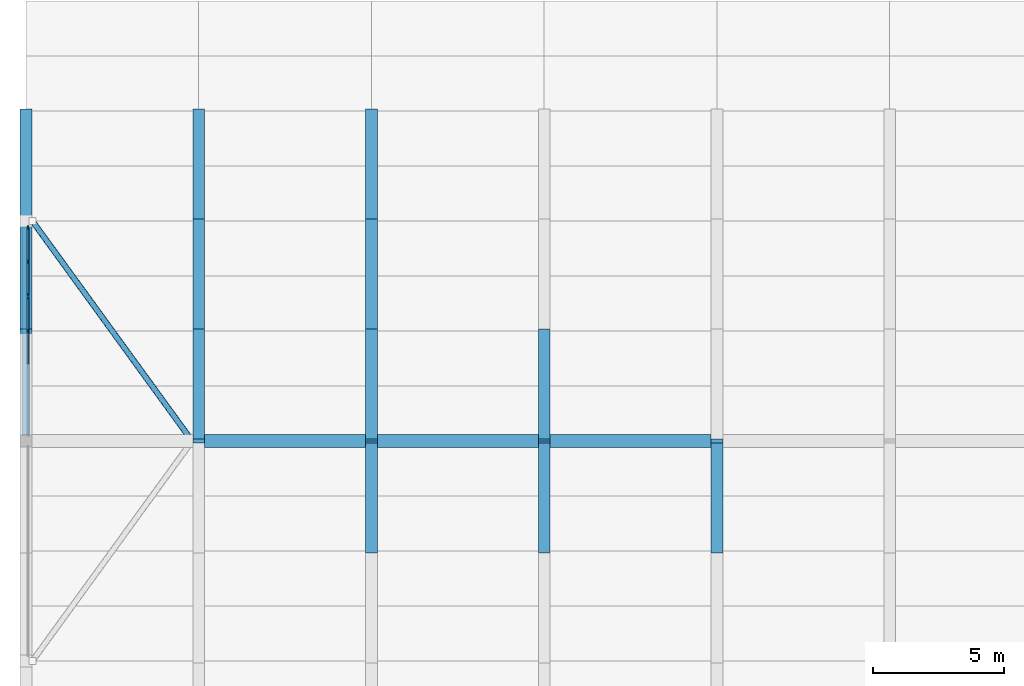
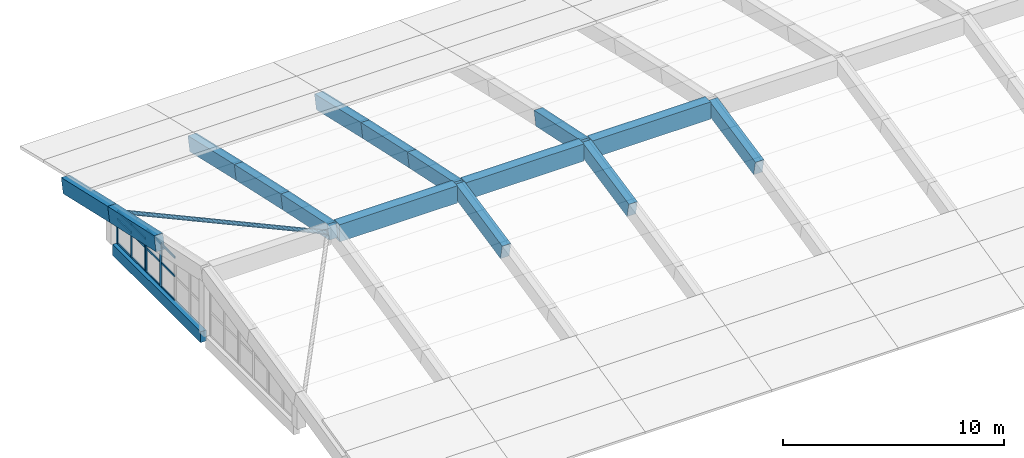
# One storey, part 4 of 47: 18 members, 16 beams, 2 elements without a shape of their own.
"""IFC4 building model written with IfcOpenShell, lengths in metres."""

from ifc_helpers import new_model, si_unit, direction, frame, origin, origin_2d, place, context, subcontext, project, spatial, rectangle, hollow_circle, extrude, material, material_profile, profile_set, type_object, element, aggregate, save


model = new_model("IFC4")

# Units and contexts
model_context = context("Model", 3, precision=1e-05, world=origin(), true_north=direction((0.0, 1.0)))
body_context = subcontext(model_context, "Body", "Model", "MODEL_VIEW")
ifc_project = project(units=[si_unit("LENGTHUNIT", "METRE"), si_unit("AREAUNIT", "SQUARE_METRE"), si_unit("VOLUMEUNIT", "CUBIC_METRE"), si_unit("PLANEANGLEUNIT", "RADIAN"), si_unit("MASSUNIT", "GRAM", prefix="KILO")], contexts=[model_context])

# Site, building, storey
site_placement = place(None, origin())
site = spatial("IfcSite", under=ifc_project, at=site_placement, CompositionType="ELEMENT")
building_placement = place(site_placement, origin())
building = spatial("IfcBuilding", under=site, at=building_placement, Name="Qaldarim Faculty of Natural and Applied Sciences", CompositionType="ELEMENT")
storey_placement = place(building_placement, frame((0.0, 0.0, 22.800048828125)))
storey = spatial("IfcBuildingStorey", under=building, at=storey_placement, Name="L05", CompositionType="ELEMENT", Elevation=22.800048828125)

# Curtain wall, members
ifc_material_1 = material(Name="Anodised aluminium AW-6063", Category="aluminium")
curtain_wall_type = type_object("IfcCurtainWallType", Name="CurtainWallSystem-M1500", PredefinedType="USERDEFINED", material=ifc_material_1)
curtain_wall_1_placement = place(storey_placement, origin())
curtain_wall_1 = element("IfcCurtainWall", 1, at=curtain_wall_1_placement, inside=storey, type_object=curtain_wall_type, Name="Curtain wall CW-GABLE-L05-W-Y07-2", ObjectType="STICK CURTAIN WALL", PredefinedType="USERDEFINED")
ifc_material_profile_1 = material_profile(ifc_material_1, rectangle(XDim=0.06005859375, YDim=0.14990234375, at=origin_2d()), Name="ALU-M60x150")
ifc_profile_set_1 = profile_set([ifc_material_profile_1], Name="Anodised aluminium AW-6063")
member_type_1 = type_object("IfcMemberType", Name="Mullion-ALU60x150", PredefinedType="MULLION", material=ifc_profile_set_1)
member_1_placement = place(storey_placement, frame((0.080078125, 55.889892578125, 0.0), z_axis=(0.0, 0.0, 1.0), x_axis=(1.0, 0.0, 0.0)))
member_1 = element("IfcMember", 2, at=member_1_placement, type_object=member_type_1, Name="Mullion 1 of CW-GABLE-L05-W-Y07-2", PredefinedType="MULLION", context=body_context, shape_type="SweptSolid", body=[
    extrude(rectangle(XDim=0.06005859375, YDim=0.14990234375, at=origin_2d()), origin(), (0.0, 0.0, 1.0), 2.39990234375),
])
member_2_placement = place(storey_placement, frame((0.080078125, 54.6025390625, 0.0), z_axis=(0.0, 0.0, 1.0), x_axis=(1.0, 0.0, 0.0)))
member_2 = element("IfcMember", 3, at=member_2_placement, type_object=member_type_1, Name="Mullion 2 of CW-GABLE-L05-W-Y07-2", PredefinedType="MULLION", context=body_context, shape_type="SweptSolid", body=[
    extrude(rectangle(XDim=0.06005859375, YDim=0.14990234375, at=origin_2d()), origin(), (0.0, 0.0, 1.0), 2.39990234375),
])

curtain_wall_2_placement = place(storey_placement, origin())
curtain_wall_2 = element("IfcCurtainWall", 4, at=curtain_wall_2_placement, inside=storey, type_object=curtain_wall_type, Name="Curtain wall CW-GABLE-L05-W-Y07-3", ObjectType="STICK CURTAIN WALL", PredefinedType="USERDEFINED")
member_3_placement = place(storey_placement, frame((0.080078125, 58.5400390625, 0.0), z_axis=(0.0, 0.0, 1.0), x_axis=(1.0, 0.0, 0.0)))
member_3 = element("IfcMember", 5, at=member_3_placement, type_object=member_type_1, Name="Mullion 1 of CW-GABLE-L05-W-Y07-3", PredefinedType="MULLION", context=body_context, shape_type="SweptSolid", body=[
    extrude(rectangle(XDim=0.06005859375, YDim=0.14990234375, at=origin_2d()), origin(), (0.0, 0.0, 1.0), 1.829833984375),
])
member_4_placement = place(storey_placement, frame((0.080078125, 57.25244140625, 0.0), z_axis=(0.0, 0.0, 1.0), x_axis=(1.0, 0.0, 0.0)))
member_4 = element("IfcMember", 6, at=member_4_placement, type_object=member_type_1, Name="Mullion 2 of CW-GABLE-L05-W-Y07-3", PredefinedType="MULLION", context=body_context, shape_type="SweptSolid", body=[
    extrude(rectangle(XDim=0.06005859375, YDim=0.14990234375, at=origin_2d()), origin(), (0.0, 0.0, 1.0), 1.829833984375),
])
member_5_placement = place(storey_placement, frame((0.080078125, 55.965087890625, 0.0), z_axis=(0.0, 0.0, 1.0), x_axis=(1.0, 0.0, 0.0)))
member_5 = element("IfcMember", 7, at=member_5_placement, type_object=member_type_1, Name="Mullion 3 of CW-GABLE-L05-W-Y07-3", PredefinedType="MULLION", context=body_context, shape_type="SweptSolid", body=[
    extrude(rectangle(XDim=0.06005859375, YDim=0.14990234375, at=origin_2d()), origin(), (0.0, 0.0, 1.0), 1.829833984375),
])

# Beams
ifc_material_2 = material(Name="Concrete C50/60", Category="concrete")
ifc_material_profile_2 = material_profile(ifc_material_2, rectangle(XDim=0.449951171875, YDim=0.800048828125, at=origin_2d()), Name="RC-RIB450x800")
ifc_profile_set_2 = profile_set([ifc_material_profile_2], Name="Concrete C50/60")
beam_type_1 = type_object("IfcBeamType", Name="ShellArchRib-RC450x800", PredefinedType="BEAM", material=ifc_profile_set_2)
beam_1_placement = place(storey_placement, frame((0.0, 63.0, 0.579833984375), z_axis=(0.0, -0.974847602774, 0.222872500245), x_axis=(1.0, 0.0, 0.0)))
element("IfcBeam", 8, at=beam_1_placement, inside=storey, type_object=beam_type_1, Name="Shell arch rib 1 N segment 6", PredefinedType="BEAM", context=body_context, shape_type="SweptSolid", body=[
    extrude(rectangle(XDim=0.449951171875, YDim=0.800048828125, at=origin_2d()), origin(), (0.0, 0.0, 1.0), 4.308349609375),
])
beam_2_placement = place(storey_placement, frame((0.0, 58.800048828125, 1.5400390625), z_axis=(0.0, -0.976842563823, 0.213959354792), x_axis=(1.0, 0.0, 0.0)))
element("IfcBeam", 9, at=beam_2_placement, inside=storey, type_object=beam_type_1, Name="Shell arch rib 1 N segment 7", PredefinedType="BEAM", context=body_context, shape_type="SweptSolid", body=[
    extrude(rectangle(XDim=0.449951171875, YDim=0.800048828125, at=origin_2d()), origin(), (0.0, 0.0, 1.0), 4.299560546875),
])
beam_3_placement = place(storey_placement, frame((6.60009765625, 63.0, 0.579833984375), z_axis=(0.0, -0.974847602774, 0.222872500245), x_axis=(1.0, 0.0, 0.0)))
element("IfcBeam", 10, at=beam_3_placement, inside=storey, type_object=beam_type_1, Name="Shell arch rib 2 N segment 6", PredefinedType="BEAM", context=body_context, shape_type="SweptSolid", body=[
    extrude(rectangle(XDim=0.449951171875, YDim=0.800048828125, at=origin_2d()), origin(), (0.0, 0.0, 1.0), 4.308349609375),
])
beam_4_placement = place(storey_placement, frame((6.60009765625, 58.800048828125, 1.5400390625), z_axis=(0.0, -0.976842563823, 0.213959354792), x_axis=(1.0, 0.0, 0.0)))
element("IfcBeam", 11, at=beam_4_placement, inside=storey, type_object=beam_type_1, Name="Shell arch rib 2 N segment 7", PredefinedType="BEAM", context=body_context, shape_type="SweptSolid", body=[
    extrude(rectangle(XDim=0.449951171875, YDim=0.800048828125, at=origin_2d()), origin(), (0.0, 0.0, 1.0), 4.299560546875),
])
beam_5_placement = place(storey_placement, frame((6.60009765625, 54.60009765625, 2.4599609375), z_axis=(0.0, -0.978754529913, 0.205035533934), x_axis=(1.0, 0.0, 0.0)))
element("IfcBeam", 12, at=beam_5_placement, inside=storey, type_object=beam_type_1, Name="Shell arch rib 2 N segment 8", PredefinedType="BEAM", context=body_context, shape_type="SweptSolid", body=[
    extrude(rectangle(XDim=0.449951171875, YDim=0.800048828125, at=origin_2d()), origin(), (0.0, 0.0, 1.0), 4.291259765625),
])
beam_6_placement = place(storey_placement, frame((13.199951171875, 46.199951171875, 2.4599609375), z_axis=(0.0, 0.978752138035, 0.205046951432), x_axis=(-1.0, 0.0, 0.0)))
element("IfcBeam", 13, at=beam_6_placement, inside=storey, type_object=beam_type_1, Name="Shell arch rib 3 S segment 8", PredefinedType="BEAM", context=body_context, shape_type="SweptSolid", body=[
    extrude(rectangle(XDim=0.449951171875, YDim=0.800048828125, at=origin_2d()), origin(), (0.0, 0.0, 1.0), 4.291015625),
])
beam_7_placement = place(storey_placement, frame((13.199951171875, 63.0, 0.579833984375), z_axis=(0.0, -0.974847602774, 0.222872500245), x_axis=(1.0, 0.0, 0.0)))
element("IfcBeam", 14, at=beam_7_placement, inside=storey, type_object=beam_type_1, Name="Shell arch rib 3 N segment 6", PredefinedType="BEAM", context=body_context, shape_type="SweptSolid", body=[
    extrude(rectangle(XDim=0.449951171875, YDim=0.800048828125, at=origin_2d()), origin(), (0.0, 0.0, 1.0), 4.308349609375),
])
beam_8_placement = place(storey_placement, frame((13.199951171875, 58.800048828125, 1.5400390625), z_axis=(0.0, -0.976842563823, 0.213959354792), x_axis=(1.0, 0.0, 0.0)))
element("IfcBeam", 15, at=beam_8_placement, inside=storey, type_object=beam_type_1, Name="Shell arch rib 3 N segment 7", PredefinedType="BEAM", context=body_context, shape_type="SweptSolid", body=[
    extrude(rectangle(XDim=0.449951171875, YDim=0.800048828125, at=origin_2d()), origin(), (0.0, 0.0, 1.0), 4.299560546875),
])
beam_9_placement = place(storey_placement, frame((13.199951171875, 54.60009765625, 2.4599609375), z_axis=(0.0, -0.978754529913, 0.205035533934), x_axis=(1.0, 0.0, 0.0)))
element("IfcBeam", 16, at=beam_9_placement, inside=storey, type_object=beam_type_1, Name="Shell arch rib 3 N segment 8", PredefinedType="BEAM", context=body_context, shape_type="SweptSolid", body=[
    extrude(rectangle(XDim=0.449951171875, YDim=0.800048828125, at=origin_2d()), origin(), (0.0, 0.0, 1.0), 4.291259765625),
])
beam_10_placement = place(storey_placement, frame((19.800048828125, 46.199951171875, 2.4599609375), z_axis=(0.0, 0.978752138035, 0.205046951432), x_axis=(-1.0, 0.0, 0.0)))
element("IfcBeam", 17, at=beam_10_placement, inside=storey, type_object=beam_type_1, Name="Shell arch rib 4 S segment 8", PredefinedType="BEAM", context=body_context, shape_type="SweptSolid", body=[
    extrude(rectangle(XDim=0.449951171875, YDim=0.800048828125, at=origin_2d()), origin(), (0.0, 0.0, 1.0), 4.291015625),
])
beam_11_placement = place(storey_placement, frame((19.800048828125, 54.60009765625, 2.4599609375), z_axis=(0.0, -0.978754529913, 0.205035533934), x_axis=(1.0, 0.0, 0.0)))
element("IfcBeam", 18, at=beam_11_placement, inside=storey, type_object=beam_type_1, Name="Shell arch rib 4 N segment 8", PredefinedType="BEAM", context=body_context, shape_type="SweptSolid", body=[
    extrude(rectangle(XDim=0.449951171875, YDim=0.800048828125, at=origin_2d()), origin(), (0.0, 0.0, 1.0), 4.291259765625),
])
beam_12_placement = place(storey_placement, frame((26.39990234375, 46.199951171875, 2.4599609375), z_axis=(0.0, 0.978752138035, 0.205046951432), x_axis=(-1.0, 0.0, 0.0)))
element("IfcBeam", 19, at=beam_12_placement, inside=storey, type_object=beam_type_1, Name="Shell arch rib 5 S segment 8", PredefinedType="BEAM", context=body_context, shape_type="SweptSolid", body=[
    extrude(rectangle(XDim=0.449951171875, YDim=0.800048828125, at=origin_2d()), origin(), (0.0, 0.0, 1.0), 4.291015625),
])
ifc_material_profile_3 = material_profile(ifc_material_2, rectangle(XDim=0.5, YDim=0.949951171875, at=origin_2d()), Name="RC-EB500x950")
ifc_profile_set_3 = profile_set([ifc_material_profile_3], Name="Concrete C50/60")
beam_type_2 = type_object("IfcBeamType", Name="ShellRidgeBeam-RC500x950", PredefinedType="BEAM", material=ifc_profile_set_3)
beam_13_placement = place(storey_placement, frame((6.824951171875, 50.39990234375, 3.27001953125), z_axis=(1.0, 0.0, 0.0), x_axis=(0.0, 1.0, 0.0)))
element("IfcBeam", 20, at=beam_13_placement, inside=storey, type_object=beam_type_2, Name="Shell crown ridge beam bay 2", PredefinedType="BEAM", context=body_context, shape_type="SweptSolid", body=[
    extrude(rectangle(XDim=0.5, YDim=0.949951171875, at=origin_2d()), origin(), (0.0, 0.0, 1.0), 6.150146484375),
])
beam_14_placement = place(storey_placement, frame((13.425048828125, 50.39990234375, 3.27001953125), z_axis=(1.0, 0.0, 0.0), x_axis=(0.0, 1.0, 0.0)))
element("IfcBeam", 21, at=beam_14_placement, inside=storey, type_object=beam_type_2, Name="Shell crown ridge beam bay 3", PredefinedType="BEAM", context=body_context, shape_type="SweptSolid", body=[
    extrude(rectangle(XDim=0.5, YDim=0.949951171875, at=origin_2d()), origin(), (0.0, 0.0, 1.0), 6.14990234375),
])
beam_15_placement = place(storey_placement, frame((20.02490234375, 50.39990234375, 3.27001953125), z_axis=(1.0, 0.0, 0.0), x_axis=(0.0, 1.0, 0.0)))
element("IfcBeam", 22, at=beam_15_placement, inside=storey, type_object=beam_type_2, Name="Shell crown ridge beam bay 4", PredefinedType="BEAM", context=body_context, shape_type="SweptSolid", body=[
    extrude(rectangle(XDim=0.5, YDim=0.949951171875, at=origin_2d()), origin(), (0.0, 0.0, 1.0), 6.150146484375),
])

# Member
ifc_material_3 = material(Name="Structural steel S355", Category="steel")
ifc_material_profile_4 = material_profile(ifc_material_3, hollow_circle(Radius=0.109619140625, WallThickness=0.012451171875, at=origin_2d()), Name="CHS 219.1x12.5")
ifc_profile_set_4 = profile_set([ifc_material_profile_4], Name="Structural steel S355")
member_type_2 = type_object("IfcMemberType", Name="ShellStrut-CHS219x12-5", PredefinedType="STRUT", material=ifc_profile_set_4)
member_6_placement = place(storey_placement, frame((0.25, 58.800048828125, 1.5400390625), z_axis=(0.578961876596, -0.797260117187, 0.170819937336), x_axis=(0.809152832909, 0.587598241144, 0.0)))
element("IfcMember", 23, at=member_6_placement, inside=storey, type_object=member_type_2, Name="Shell wind strut bay 1 N4", PredefinedType="STRUT", context=body_context, shape_type="SweptSolid", body=[
    extrude(hollow_circle(Radius=0.109619140625, WallThickness=0.012451171875, at=origin_2d()), origin(), (0.0, 0.0, 1.0), 10.536376953125),
])

# Beam
ifc_material_4 = material(Name="Precast concrete C40/50", Category="concrete")
ifc_material_profile_5 = material_profile(ifc_material_4, rectangle(XDim=0.300048828125, YDim=0.60009765625, at=origin_2d()), Name="RC-SP300x600")
ifc_profile_set_5 = profile_set([ifc_material_profile_5], Name="Precast concrete C40/50")
beam_type_3 = type_object("IfcBeamType", Name="SpandrelBeam-RC300x600", PredefinedType="SPANDREL", material=ifc_profile_set_5)
beam_16_placement = place(storey_placement, frame((0.0, 50.625, -0.300048828125), z_axis=(0.0, 1.0, 0.0), x_axis=(-1.0, 0.0, 0.0)))
element("IfcBeam", 24, at=beam_16_placement, inside=storey, type_object=beam_type_3, Name="Shell crown gable tie beam X01/Y07", PredefinedType="SPANDREL", context=body_context, shape_type="SweptSolid", body=[
    extrude(rectangle(XDim=0.300048828125, YDim=0.60009765625, at=origin_2d()), origin(), (0.0, 0.0, 1.0), 7.949951171875),
])

# Member
ifc_material_profile_6 = material_profile(ifc_material_1, rectangle(XDim=0.06005859375, YDim=0.1201171875, at=origin_2d()), Name="ALU-T60x120")
ifc_profile_set_6 = profile_set([ifc_material_profile_6], Name="Anodised aluminium AW-6063")
member_type_3 = type_object("IfcMemberType", Name="Transom-ALU60x120", PredefinedType="USERDEFINED", material=ifc_profile_set_6)
member_7_placement = place(storey_placement, frame((0.080078125, 55.860107421875, 0.030029296875), z_axis=(0.0, -1.0, 0.0), x_axis=(1.0, 0.0, 0.0)))
member_7 = element("IfcMember", 25, at=member_7_placement, type_object=member_type_3, Name="Transom 1-1 of CW-GABLE-L05-W-Y07-2", ObjectType="TRANSOM", PredefinedType="USERDEFINED", context=body_context, shape_type="SweptSolid", body=[
    extrude(rectangle(XDim=0.06005859375, YDim=0.1201171875, at=origin_2d()), origin(), (0.0, 0.0, 1.0), 1.2275390625),
])

member_8_placement = place(storey_placement, frame((0.080078125, 55.860107421875, 1.349853515625), z_axis=(0.0, -1.0, 0.0), x_axis=(1.0, 0.0, 0.0)))
member_8 = element("IfcMember", 26, at=member_8_placement, type_object=member_type_3, Name="Transom 1-2 of CW-GABLE-L05-W-Y07-2", ObjectType="TRANSOM", PredefinedType="USERDEFINED", context=body_context, shape_type="SweptSolid", body=[
    extrude(rectangle(XDim=0.06005859375, YDim=0.1201171875, at=origin_2d()), origin(), (0.0, 0.0, 1.0), 1.2275390625),
])

member_9_placement = place(storey_placement, frame((0.080078125, 55.860107421875, 2.369873046875), z_axis=(0.0, -1.0, 0.0), x_axis=(1.0, 0.0, 0.0)))
member_9 = element("IfcMember", 27, at=member_9_placement, type_object=member_type_3, Name="Transom 1-3 of CW-GABLE-L05-W-Y07-2", ObjectType="TRANSOM", PredefinedType="USERDEFINED", context=body_context, shape_type="SweptSolid", body=[
    extrude(rectangle(XDim=0.06005859375, YDim=0.1201171875, at=origin_2d()), origin(), (0.0, 0.0, 1.0), 1.2275390625),
])

member_10_placement = place(storey_placement, frame((0.080078125, 54.572509765625, 0.030029296875), z_axis=(0.0, -1.0, 0.0), x_axis=(1.0, 0.0, 0.0)))
member_10 = element("IfcMember", 28, at=member_10_placement, type_object=member_type_3, Name="Transom 2-1 of CW-GABLE-L05-W-Y07-2", ObjectType="TRANSOM", PredefinedType="USERDEFINED", context=body_context, shape_type="SweptSolid", body=[
    extrude(rectangle(XDim=0.06005859375, YDim=0.1201171875, at=origin_2d()), origin(), (0.0, 0.0, 1.0), 1.2275390625),
])

member_11_placement = place(storey_placement, frame((0.080078125, 54.572509765625, 1.349853515625), z_axis=(0.0, -1.0, 0.0), x_axis=(1.0, 0.0, 0.0)))
member_11 = element("IfcMember", 29, at=member_11_placement, type_object=member_type_3, Name="Transom 2-2 of CW-GABLE-L05-W-Y07-2", ObjectType="TRANSOM", PredefinedType="USERDEFINED", context=body_context, shape_type="SweptSolid", body=[
    extrude(rectangle(XDim=0.06005859375, YDim=0.1201171875, at=origin_2d()), origin(), (0.0, 0.0, 1.0), 1.2275390625),
])

member_12_placement = place(storey_placement, frame((0.080078125, 54.572509765625, 2.369873046875), z_axis=(0.0, -1.0, 0.0), x_axis=(1.0, 0.0, 0.0)))
member_12 = element("IfcMember", 30, at=member_12_placement, type_object=member_type_3, Name="Transom 2-3 of CW-GABLE-L05-W-Y07-2", ObjectType="TRANSOM", PredefinedType="USERDEFINED", context=body_context, shape_type="SweptSolid", body=[
    extrude(rectangle(XDim=0.06005859375, YDim=0.1201171875, at=origin_2d()), origin(), (0.0, 0.0, 1.0), 1.2275390625),
])

aggregate(curtain_wall_1, [member_1, member_2, member_7, member_8, member_9, member_10, member_11, member_12])

member_13_placement = place(storey_placement, frame((0.080078125, 58.510009765625, 0.030029296875), z_axis=(0.0, -1.0, 0.0), x_axis=(1.0, 0.0, 0.0)))
member_13 = element("IfcMember", 31, at=member_13_placement, type_object=member_type_3, Name="Transom 1-1 of CW-GABLE-L05-W-Y07-3", ObjectType="TRANSOM", PredefinedType="USERDEFINED", context=body_context, shape_type="SweptSolid", body=[
    extrude(rectangle(XDim=0.06005859375, YDim=0.1201171875, at=origin_2d()), origin(), (0.0, 0.0, 1.0), 1.2275390625),
])

member_14_placement = place(storey_placement, frame((0.080078125, 58.510009765625, 1.349853515625), z_axis=(0.0, -1.0, 0.0), x_axis=(1.0, 0.0, 0.0)))
member_14 = element("IfcMember", 32, at=member_14_placement, type_object=member_type_3, Name="Transom 1-2 of CW-GABLE-L05-W-Y07-3", ObjectType="TRANSOM", PredefinedType="USERDEFINED", context=body_context, shape_type="SweptSolid", body=[
    extrude(rectangle(XDim=0.06005859375, YDim=0.1201171875, at=origin_2d()), origin(), (0.0, 0.0, 1.0), 1.2275390625),
])

member_15_placement = place(storey_placement, frame((0.080078125, 58.510009765625, 1.800048828125), z_axis=(0.0, -1.0, 0.0), x_axis=(1.0, 0.0, 0.0)))
member_15 = element("IfcMember", 33, at=member_15_placement, type_object=member_type_3, Name="Transom 1-3 of CW-GABLE-L05-W-Y07-3", ObjectType="TRANSOM", PredefinedType="USERDEFINED", context=body_context, shape_type="SweptSolid", body=[
    extrude(rectangle(XDim=0.06005859375, YDim=0.1201171875, at=origin_2d()), origin(), (0.0, 0.0, 1.0), 1.2275390625),
])

member_16_placement = place(storey_placement, frame((0.080078125, 57.222412109375, 0.030029296875), z_axis=(0.0, -1.0, 0.0), x_axis=(1.0, 0.0, 0.0)))
member_16 = element("IfcMember", 34, at=member_16_placement, type_object=member_type_3, Name="Transom 2-1 of CW-GABLE-L05-W-Y07-3", ObjectType="TRANSOM", PredefinedType="USERDEFINED", context=body_context, shape_type="SweptSolid", body=[
    extrude(rectangle(XDim=0.06005859375, YDim=0.1201171875, at=origin_2d()), origin(), (0.0, 0.0, 1.0), 1.227294921875),
])

member_17_placement = place(storey_placement, frame((0.080078125, 57.222412109375, 1.349853515625), z_axis=(0.0, -1.0, 0.0), x_axis=(1.0, 0.0, 0.0)))
member_17 = element("IfcMember", 35, at=member_17_placement, type_object=member_type_3, Name="Transom 2-2 of CW-GABLE-L05-W-Y07-3", ObjectType="TRANSOM", PredefinedType="USERDEFINED", context=body_context, shape_type="SweptSolid", body=[
    extrude(rectangle(XDim=0.06005859375, YDim=0.1201171875, at=origin_2d()), origin(), (0.0, 0.0, 1.0), 1.227294921875),
])

member_18_placement = place(storey_placement, frame((0.080078125, 57.222412109375, 1.800048828125), z_axis=(0.0, -1.0, 0.0), x_axis=(1.0, 0.0, 0.0)))
member_18 = element("IfcMember", 36, at=member_18_placement, type_object=member_type_3, Name="Transom 2-3 of CW-GABLE-L05-W-Y07-3", ObjectType="TRANSOM", PredefinedType="USERDEFINED", context=body_context, shape_type="SweptSolid", body=[
    extrude(rectangle(XDim=0.06005859375, YDim=0.1201171875, at=origin_2d()), origin(), (0.0, 0.0, 1.0), 1.227294921875),
])

aggregate(curtain_wall_2, [member_3, member_4, member_5, member_13, member_14, member_15, member_16, member_17, member_18])

save(model, "model.ifc")
